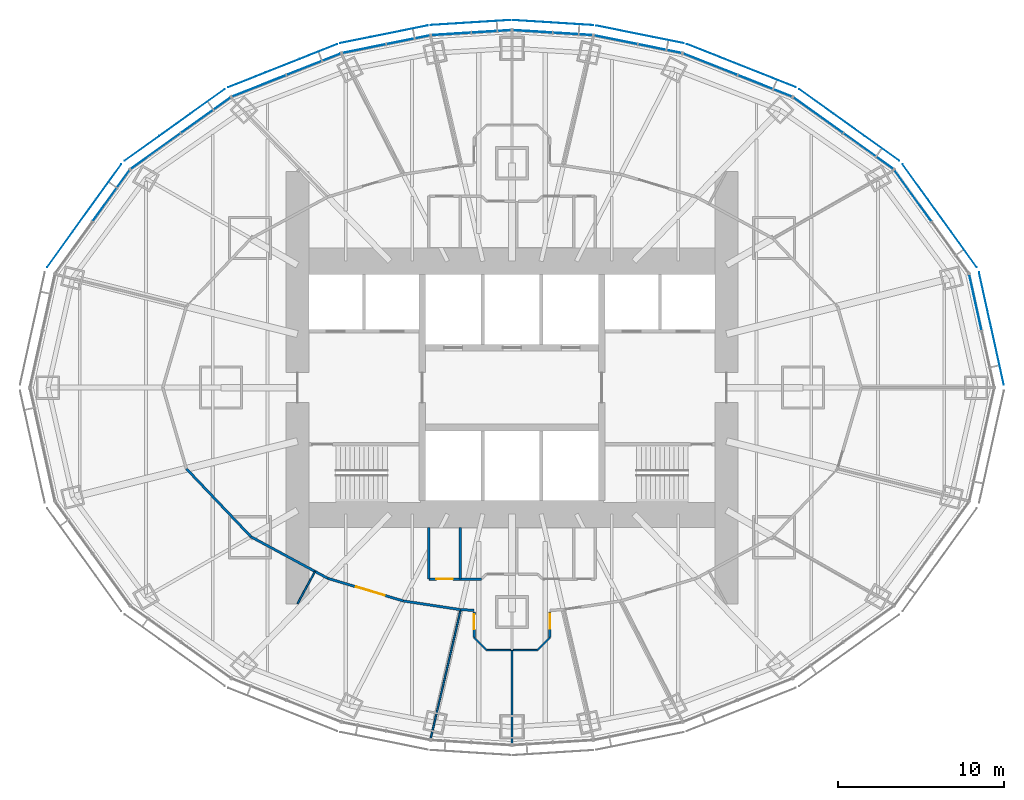
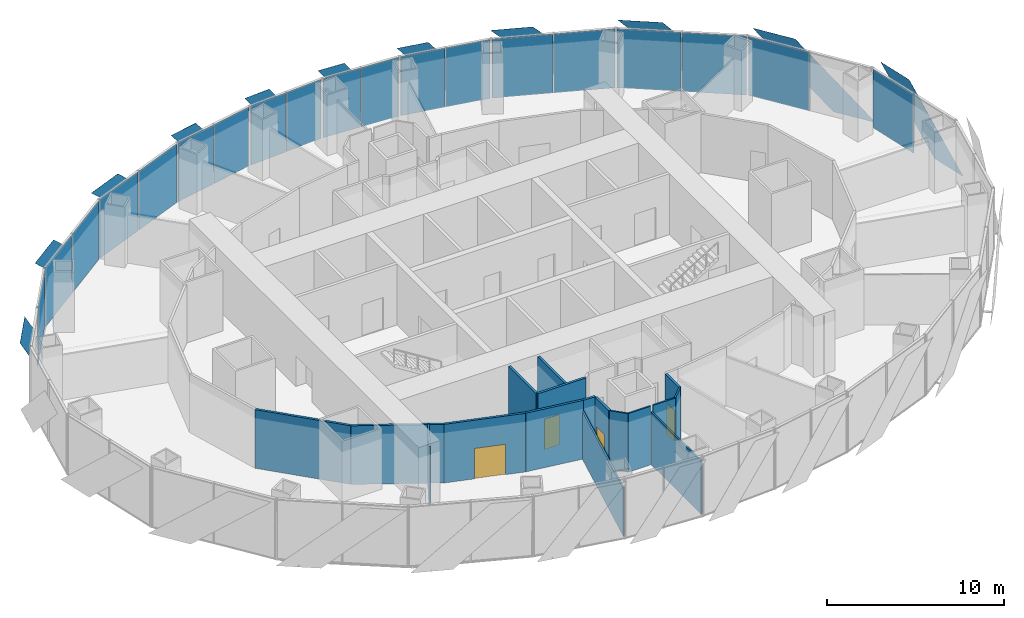
# One storey, part 10 of 18: 30 plates, 17 walls, 4 doors, 4 openings, 11 elements without a shape of their own.
"""IFC4 building model written with IfcOpenShell, lengths in metres."""

from ifc_helpers import new_model, si_unit, direction, frame, frame_2d, origin, origin_2d, place, context, subcontext, project, spatial, polyline, rectangle, outline, extrude, material, layer, layer_set, type_object, element, fill, aggregate, save


model = new_model("IFC4")

# Units and contexts
model_context = context("Model", 3, precision=1e-05, world=origin(), true_north=direction((0.0, 1.0)))
body_context = subcontext(model_context, "Body", "Model", "MODEL_VIEW")
ifc_project = project(units=[si_unit("LENGTHUNIT", "METRE"), si_unit("AREAUNIT", "SQUARE_METRE"), si_unit("VOLUMEUNIT", "CUBIC_METRE"), si_unit("PLANEANGLEUNIT", "RADIAN"), si_unit("MASSUNIT", "GRAM", prefix="KILO")], contexts=[model_context])

# Site, building, storey
site_placement = place(None, origin())
site = spatial("IfcSite", under=ifc_project, at=site_placement, CompositionType="ELEMENT")
building_placement = place(site_placement, origin())
building = spatial("IfcBuilding", under=site, at=building_placement, Name="Lantaw Convention Tower", CompositionType="ELEMENT")
storey_placement = place(building_placement, frame((0.0, 0.0, 138.39990234375)))
storey = spatial("IfcBuildingStorey", under=building, at=storey_placement, Name="L32", CompositionType="ELEMENT", Elevation=138.39990234375)

# Curtain wall, plate
ifc_material_1 = material(Name="Aluminium framed curtain wall", Category="aluminium")
curtain_wall_type = type_object("IfcCurtainWallType", Name="Office curtain wall low rise, pale aluminium", PredefinedType="USERDEFINED", material=ifc_material_1)
curtain_wall_1_placement = place(storey_placement, origin())
curtain_wall_1 = element("IfcCurtainWall", 1, at=curtain_wall_1_placement, inside=storey, type_object=curtain_wall_type, Name="Office curtain wall low rise, pale aluminium L32", ObjectType="UNITISED CURTAIN WALL", PredefinedType="USERDEFINED")
ifc_material_2 = material(Name="Clear insulating glass", Category="glass")
ifc_layer_1 = layer(ifc_material_2, 0.028076171875)
ifc_layer_set_1 = layer_set([ifc_layer_1], Name="CW-O1 panel 28")
plate_type_1 = type_object("IfcPlateType", Name="CW-O1 panel 28", PredefinedType="CURTAIN_PANEL", material=ifc_layer_set_1)
plate_1_placement = place(storey_placement, frame((27.868896484375, 5.1240234375, -0.0849609375), z_axis=(0.0, 0.0, 1.0), x_axis=(-0.215546166174, 0.9764936509, 0.0)))
plate_1 = element("IfcPlate", 2, at=plate_1_placement, type_object=plate_type_1, Name="CW-O1 panel 2.1", PredefinedType="CURTAIN_PANEL", context=body_context, shape_type="SweptSolid", body=[
    extrude(rectangle(XDim=3.41162109375, YDim=0.028076171875, at=origin_2d()), origin(), (0.0, 0.0, 1.0), 4.070068359375),
])
aggregate(curtain_wall_1, [plate_1])

curtain_wall_2_placement = place(storey_placement, origin())
curtain_wall_2 = element("IfcCurtainWall", 3, at=curtain_wall_2_placement, inside=storey, type_object=curtain_wall_type, Name="Office curtain wall low rise, pale aluminium L32", ObjectType="UNITISED CURTAIN WALL", PredefinedType="USERDEFINED")
plate_2_placement = place(storey_placement, frame((24.108154296875, 11.5439453125, -0.0849609375), z_axis=(0.0, 0.0, 1.0), x_axis=(-0.584512597221, 0.811384633629, 0.0)))
plate_2 = element("IfcPlate", 4, at=plate_2_placement, type_object=plate_type_1, Name="CW-O1 panel 2.1", PredefinedType="CURTAIN_PANEL", context=body_context, shape_type="SweptSolid", body=[
    extrude(rectangle(XDim=3.767333984375, YDim=0.028076171875, at=origin_2d()), origin(), (0.0, 0.0, 1.0), 4.070068359375),
])
aggregate(curtain_wall_2, [plate_2])

# Curtain wall, plates
curtain_wall_3_placement = place(storey_placement, origin())
curtain_wall_3 = element("IfcCurtainWall", 5, at=curtain_wall_3_placement, inside=storey, type_object=curtain_wall_type, Name="Office curtain wall low rise, pale aluminium L32", ObjectType="UNITISED CURTAIN WALL", PredefinedType="USERDEFINED")
plate_3_placement = place(storey_placement, frame((21.43408203125, 14.2236328125, -0.0849609375), z_axis=(0.0, 0.0, 1.0), x_axis=(-0.813208325995, 0.581972695693, 0.0)))
plate_3 = element("IfcPlate", 6, at=plate_3_placement, type_object=plate_type_1, Name="CW-O1 panel 1.1", PredefinedType="CURTAIN_PANEL", context=body_context, shape_type="SweptSolid", body=[
    extrude(rectangle(XDim=3.645263671875, YDim=0.028076171875, at=origin_2d()), origin(), (0.0, 0.0, 1.0), 4.070068359375),
])
plate_4_placement = place(storey_placement, frame((18.416748046875, 16.383056640625, -0.0849609375), z_axis=(0.0, 0.0, 1.0), x_axis=(-0.813208325995, 0.581972695693, 0.0)))
plate_4 = element("IfcPlate", 7, at=plate_4_placement, type_object=plate_type_1, Name="CW-O1 panel 2.1", PredefinedType="CURTAIN_PANEL", context=body_context, shape_type="SweptSolid", body=[
    extrude(rectangle(XDim=3.645263671875, YDim=0.028076171875, at=origin_2d()), origin(), (0.0, 0.0, 1.0), 4.070068359375),
])
aggregate(curtain_wall_3, [plate_3, plate_4])

curtain_wall_4_placement = place(storey_placement, origin())
curtain_wall_4 = element("IfcCurtainWall", 8, at=curtain_wall_4_placement, inside=storey, type_object=curtain_wall_type, Name="Office curtain wall low rise, pale aluminium L32", ObjectType="UNITISED CURTAIN WALL", PredefinedType="USERDEFINED")
plate_5_placement = place(storey_placement, frame((15.208251953125, 18.145263671875, -0.0849609375), z_axis=(0.0, 0.0, 1.0), x_axis=(-0.929547687544, 0.368701907483, 0.0)))
plate_5 = element("IfcPlate", 9, at=plate_5_placement, type_object=plate_type_1, Name="CW-O1 panel 1.1", PredefinedType="CURTAIN_PANEL", context=body_context, shape_type="SweptSolid", body=[
    extrude(rectangle(XDim=3.470703125, YDim=0.028076171875, at=origin_2d()), origin(), (0.0, 0.0, 1.0), 4.070068359375),
])
plate_6_placement = place(storey_placement, frame((11.921630859375, 19.448974609375, -0.0849609375), z_axis=(0.0, 0.0, 1.0), x_axis=(-0.929547687544, 0.368701907483, 0.0)))
plate_6 = element("IfcPlate", 10, at=plate_6_placement, type_object=plate_type_1, Name="CW-O1 panel 2.1", PredefinedType="CURTAIN_PANEL", context=body_context, shape_type="SweptSolid", body=[
    extrude(rectangle(XDim=3.470703125, YDim=0.028076171875, at=origin_2d()), origin(), (0.0, 0.0, 1.0), 4.070068359375),
])
aggregate(curtain_wall_4, [plate_5, plate_6])

curtain_wall_5_placement = place(storey_placement, origin())
curtain_wall_5 = element("IfcCurtainWall", 11, at=curtain_wall_5_placement, inside=storey, type_object=curtain_wall_type, Name="Office curtain wall low rise, pale aluminium L32", ObjectType="UNITISED CURTAIN WALL", PredefinedType="USERDEFINED")
plate_7_placement = place(storey_placement, frame((8.893310546875, 20.3857421875, -0.0849609375), z_axis=(0.0, 0.0, 1.0), x_axis=(-0.980301514912, 0.197506809659, 0.0)))
plate_7 = element("IfcPlate", 12, at=plate_7_placement, type_object=plate_type_1, Name="CW-O1 panel 1.1", PredefinedType="CURTAIN_PANEL", context=body_context, shape_type="SweptSolid", body=[
    extrude(rectangle(XDim=2.634033203125, YDim=0.028076171875, at=origin_2d()), origin(), (0.0, 0.0, 1.0), 4.070068359375),
])
plate_8_placement = place(storey_placement, frame((6.247314453125, 20.9189453125, -0.0849609375), z_axis=(0.0, 0.0, 1.0), x_axis=(-0.980301514912, 0.197506809659, 0.0)))
plate_8 = element("IfcPlate", 13, at=plate_8_placement, type_object=plate_type_1, Name="CW-O1 panel 2.1", PredefinedType="CURTAIN_PANEL", context=body_context, shape_type="SweptSolid", body=[
    extrude(rectangle(XDim=2.634033203125, YDim=0.028076171875, at=origin_2d()), origin(), (0.0, 0.0, 1.0), 4.070068359375),
])
aggregate(curtain_wall_5, [plate_7, plate_8])

curtain_wall_6_placement = place(storey_placement, origin())
curtain_wall_6 = element("IfcCurtainWall", 14, at=curtain_wall_6_placement, inside=storey, type_object=curtain_wall_type, Name="Office curtain wall low rise, pale aluminium L32", ObjectType="UNITISED CURTAIN WALL", PredefinedType="USERDEFINED")
plate_9_placement = place(storey_placement, frame((3.653076171875, 21.269775390625, -0.0849609375), z_axis=(0.0, 0.0, 1.0), x_axis=(-0.998022035978, 0.062865059466, 0.0)))
plate_9 = element("IfcPlate", 15, at=plate_9_placement, type_object=plate_type_1, Name="CW-O1 panel 1.1", PredefinedType="CURTAIN_PANEL", context=body_context, shape_type="SweptSolid", body=[
    extrude(rectangle(XDim=2.353515625, YDim=0.028076171875, at=origin_2d()), origin(), (0.0, 0.0, 1.0), 4.070068359375),
])
plate_10_placement = place(storey_placement, frame((1.2392578125, 21.421875, -0.0849609375), z_axis=(0.0, 0.0, 1.0), x_axis=(-0.998022035978, 0.062865059466, 0.0)))
plate_10 = element("IfcPlate", 16, at=plate_10_placement, type_object=plate_type_1, Name="CW-O1 panel 2.1", PredefinedType="CURTAIN_PANEL", context=body_context, shape_type="SweptSolid", body=[
    extrude(rectangle(XDim=2.353515625, YDim=0.028076171875, at=origin_2d()), origin(), (0.0, 0.0, 1.0), 4.070068359375),
])
aggregate(curtain_wall_6, [plate_9, plate_10])

curtain_wall_7_placement = place(storey_placement, origin())
curtain_wall_7 = element("IfcCurtainWall", 17, at=curtain_wall_7_placement, inside=storey, type_object=curtain_wall_type, Name="Office curtain wall low rise, pale aluminium L32", ObjectType="UNITISED CURTAIN WALL", PredefinedType="USERDEFINED")
plate_11_placement = place(storey_placement, frame((-1.2392578125, 21.421875, -0.0849609375), z_axis=(0.0, 0.0, 1.0), x_axis=(-0.998022035978, -0.062865059466, 0.0)))
plate_11 = element("IfcPlate", 18, at=plate_11_placement, type_object=plate_type_1, Name="CW-O1 panel 1.1", PredefinedType="CURTAIN_PANEL", context=body_context, shape_type="SweptSolid", body=[
    extrude(rectangle(XDim=2.353515625, YDim=0.028076171875, at=origin_2d()), origin(), (0.0, 0.0, 1.0), 4.070068359375),
])
plate_12_placement = place(storey_placement, frame((-3.653076171875, 21.269775390625, -0.0849609375), z_axis=(0.0, 0.0, 1.0), x_axis=(-0.998022035978, -0.062865059466, 0.0)))
plate_12 = element("IfcPlate", 19, at=plate_12_placement, type_object=plate_type_1, Name="CW-O1 panel 2.1", PredefinedType="CURTAIN_PANEL", context=body_context, shape_type="SweptSolid", body=[
    extrude(rectangle(XDim=2.353515625, YDim=0.028076171875, at=origin_2d()), origin(), (0.0, 0.0, 1.0), 4.070068359375),
])
aggregate(curtain_wall_7, [plate_11, plate_12])

curtain_wall_8_placement = place(storey_placement, origin())
curtain_wall_8 = element("IfcCurtainWall", 20, at=curtain_wall_8_placement, inside=storey, type_object=curtain_wall_type, Name="Office curtain wall low rise, pale aluminium L32", ObjectType="UNITISED CURTAIN WALL", PredefinedType="USERDEFINED")
plate_13_placement = place(storey_placement, frame((-6.247314453125, 20.9189453125, -0.0849609375), z_axis=(0.0, 0.0, 1.0), x_axis=(-0.980301514912, -0.197506809659, 0.0)))
plate_13 = element("IfcPlate", 21, at=plate_13_placement, type_object=plate_type_1, Name="CW-O1 panel 1.1", PredefinedType="CURTAIN_PANEL", context=body_context, shape_type="SweptSolid", body=[
    extrude(rectangle(XDim=2.634033203125, YDim=0.028076171875, at=origin_2d()), origin(), (0.0, 0.0, 1.0), 4.070068359375),
])
plate_14_placement = place(storey_placement, frame((-8.893310546875, 20.3857421875, -0.0849609375), z_axis=(0.0, 0.0, 1.0), x_axis=(-0.980301514912, -0.197506809659, 0.0)))
plate_14 = element("IfcPlate", 22, at=plate_14_placement, type_object=plate_type_1, Name="CW-O1 panel 2.1", PredefinedType="CURTAIN_PANEL", context=body_context, shape_type="SweptSolid", body=[
    extrude(rectangle(XDim=2.634033203125, YDim=0.028076171875, at=origin_2d()), origin(), (0.0, 0.0, 1.0), 4.070068359375),
])
aggregate(curtain_wall_8, [plate_13, plate_14])

curtain_wall_9_placement = place(storey_placement, origin())
curtain_wall_9 = element("IfcCurtainWall", 23, at=curtain_wall_9_placement, inside=storey, type_object=curtain_wall_type, Name="Office curtain wall low rise, pale aluminium L32", ObjectType="UNITISED CURTAIN WALL", PredefinedType="USERDEFINED")
plate_15_placement = place(storey_placement, frame((-11.921630859375, 19.448974609375, -0.0849609375), z_axis=(0.0, 0.0, 1.0), x_axis=(-0.929547687544, -0.368701907483, 0.0)))
plate_15 = element("IfcPlate", 24, at=plate_15_placement, type_object=plate_type_1, Name="CW-O1 panel 1.1", PredefinedType="CURTAIN_PANEL", context=body_context, shape_type="SweptSolid", body=[
    extrude(rectangle(XDim=3.470703125, YDim=0.028076171875, at=origin_2d()), origin(), (0.0, 0.0, 1.0), 4.070068359375),
])
plate_16_placement = place(storey_placement, frame((-15.208251953125, 18.145263671875, -0.0849609375), z_axis=(0.0, 0.0, 1.0), x_axis=(-0.929547687544, -0.368701907483, 0.0)))
plate_16 = element("IfcPlate", 25, at=plate_16_placement, type_object=plate_type_1, Name="CW-O1 panel 2.1", PredefinedType="CURTAIN_PANEL", context=body_context, shape_type="SweptSolid", body=[
    extrude(rectangle(XDim=3.470703125, YDim=0.028076171875, at=origin_2d()), origin(), (0.0, 0.0, 1.0), 4.070068359375),
])
aggregate(curtain_wall_9, [plate_15, plate_16])

curtain_wall_10_placement = place(storey_placement, origin())
curtain_wall_10 = element("IfcCurtainWall", 26, at=curtain_wall_10_placement, inside=storey, type_object=curtain_wall_type, Name="Office curtain wall low rise, pale aluminium L32", ObjectType="UNITISED CURTAIN WALL", PredefinedType="USERDEFINED")
plate_17_placement = place(storey_placement, frame((-18.416748046875, 16.383056640625, -0.0849609375), z_axis=(0.0, 0.0, 1.0), x_axis=(-0.813208325995, -0.581972695693, 0.0)))
plate_17 = element("IfcPlate", 27, at=plate_17_placement, type_object=plate_type_1, Name="CW-O1 panel 1.1", PredefinedType="CURTAIN_PANEL", context=body_context, shape_type="SweptSolid", body=[
    extrude(rectangle(XDim=3.645263671875, YDim=0.028076171875, at=origin_2d()), origin(), (0.0, 0.0, 1.0), 4.070068359375),
])
plate_18_placement = place(storey_placement, frame((-21.43408203125, 14.2236328125, -0.0849609375), z_axis=(0.0, 0.0, 1.0), x_axis=(-0.813208325995, -0.581972695693, 0.0)))
plate_18 = element("IfcPlate", 28, at=plate_18_placement, type_object=plate_type_1, Name="CW-O1 panel 2.1", PredefinedType="CURTAIN_PANEL", context=body_context, shape_type="SweptSolid", body=[
    extrude(rectangle(XDim=3.645263671875, YDim=0.028076171875, at=origin_2d()), origin(), (0.0, 0.0, 1.0), 4.070068359375),
])
aggregate(curtain_wall_10, [plate_17, plate_18])

# Curtain wall, plate
curtain_wall_11_placement = place(storey_placement, origin())
curtain_wall_11 = element("IfcCurtainWall", 29, at=curtain_wall_11_placement, inside=storey, type_object=curtain_wall_type, Name="Office curtain wall low rise, pale aluminium L32", ObjectType="UNITISED CURTAIN WALL", PredefinedType="USERDEFINED")
plate_19_placement = place(storey_placement, frame((-24.108154296875, 11.5439453125, -0.0849609375), z_axis=(0.0, 0.0, 1.0), x_axis=(-0.584512597221, -0.811384633629, 0.0)))
plate_19 = element("IfcPlate", 30, at=plate_19_placement, type_object=plate_type_1, Name="CW-O1 panel 1.1", PredefinedType="CURTAIN_PANEL", context=body_context, shape_type="SweptSolid", body=[
    extrude(rectangle(XDim=3.767333984375, YDim=0.028076171875, at=origin_2d()), origin(), (0.0, 0.0, 1.0), 4.070068359375),
])
aggregate(curtain_wall_11, [plate_19])

# Plates
ifc_material_3 = material(Name="Perforated aluminium sheet, pale silver finish", Category="aluminium")
ifc_layer_2 = layer(ifc_material_3, 0.006103515625)
ifc_layer_set_2 = layer_set([ifc_layer_2], Name="Perforated aluminium solar SCREEN panel")
plate_type_2 = type_object("IfcPlateType", Name="Perforated aluminium solar SCREEN panel", PredefinedType="SHEET", material=ifc_layer_set_2)
plate_20_placement = place(storey_placement, frame((29.5810546875, 0.179443359375, -0.1748046875), z_axis=(0.976497812463, 0.215527309509, 3.3329045e-05), x_axis=(-0.215527309629, 0.976497813005, 1.665e-09)))
element("IfcPlate", 31, at=plate_20_placement, inside=storey, type_object=plate_type_2, Name="Solar SCREEN panel", PredefinedType="SHEET", context=body_context, shape_type="SweptSolid", body=[
    extrude(outline(polyline([(0.0, 0.0), (2.3861843673609986, 0.0), (6.918240190546627, 4.339843740891906), (4.532108442157707, 4.339843748837556), (0.0, 0.0)])), origin(), (0.0, 0.0, -1.0), 0.006103515625),
])
plate_21_placement = place(storey_placement, frame((27.94970703125, 7.248046875, -0.1748046875), z_axis=(0.81139512159, 0.584498037099, 3.5888803e-05), x_axis=(-0.584498037475, 0.811395122112, -9.74e-10)))
element("IfcPlate", 32, at=plate_21_placement, inside=storey, type_object=plate_type_2, Name="Solar SCREEN panel", PredefinedType="SHEET", context=body_context, shape_type="SweptSolid", body=[
    extrude(outline(polyline([(0.0, 0.0), (2.628222178575422, -6.776263578034403e-21), (7.629778257969264, 4.339843760228519), (5.001754173906077, 4.339843755107391), (0.0, 0.0)])), origin(), (0.0, 0.0, -1.0), 0.006103515625),
])
plate_22_placement = place(storey_placement, frame((23.281005859375, 13.64697265625, -0.1748046875), z_axis=(0.582000183937, 0.813188653244, 1.1537794e-05), x_axis=(-0.813188653298, 0.582000183975, 0.0)))
element("IfcPlate", 33, at=plate_22_placement, inside=storey, type_object=plate_type_2, Name="Solar SCREEN panel", PredefinedType="SHEET", context=body_context, shape_type="SweptSolid", body=[
    extrude(outline(polyline([(0.0, 0.0), (2.5450183911586484, 1.6940658945086007e-21), (7.385531276904658, 4.339843750288861), (4.840512885746009, 4.339843750288861), (0.0, 0.0)])), origin(), (0.0, 0.0, -1.0), 0.006103515625),
])
plate_23_placement = place(storey_placement, frame((17.05859375, 18.063232421875, -0.1748046875), z_axis=(-0.368708915367, -0.929544907797, 1.0867661e-05), x_axis=(-0.929544907851, 0.368708915389, 7.1e-10)))
element("IfcPlate", 34, at=plate_23_placement, inside=storey, type_object=plate_type_2, Name="Solar SCREEN panel", PredefinedType="SHEET", context=body_context, shape_type="SweptSolid", body=[
    extrude(outline(polyline([(0.0, 0.0), (2.4263803793049097, 0.0), (7.036549629566982, -4.339843745261612), (4.61003232741235, -4.339843748706285), (0.0, 0.0)])), origin(), (0.0, 0.0, -1.0), 0.006103515625),
])
plate_24_placement = place(storey_placement, frame((10.318603515625, 20.716796875, -0.1748046875), z_axis=(0.197556725442, 0.980291455983, 3.9485719e-05), x_axis=(-0.980291456747, 0.197556725596, 0.0)))
element("IfcPlate", 35, at=plate_24_placement, inside=storey, type_object=plate_type_2, Name="Solar SCREEN panel", PredefinedType="SHEET", context=body_context, shape_type="SweptSolid", body=[
    extrude(outline(polyline([(0.0, 0.0), (1.8574075788555457, 1.6940658945086007e-21), (5.362987026845185, 4.339843753383173), (3.505579447989639, 4.339843753383173), (0.0, 0.0)])), origin(), (0.0, 0.0, -1.0), 0.006103515625),
])
plate_25_placement = place(storey_placement, frame((4.880615234375, 21.7998046875, -0.1748046875), z_axis=(0.062838799866, 0.998023689713, 1.755158e-06), x_axis=(-0.998023689715, 0.062838799866, -8e-12)))
element("IfcPlate", 36, at=plate_25_placement, inside=storey, type_object=plate_type_2, Name="Solar SCREEN panel", PredefinedType="SHEET", context=body_context, shape_type="SweptSolid", body=[
    extrude(outline(polyline([(0.0, 0.0), (1.6666243269452135, 2.6469779601696886e-23), (4.802214797186689, 4.339843750045478), (3.135346812114104, 4.33984375001855), (0.0, 0.0)])), origin(), (0.0, 0.0, -1.0), 0.006103515625),
])
plate_26_placement = place(storey_placement, frame((-0.087890625, 22.1015625, -0.1748046875), z_axis=(0.062838799866, -0.998023689713, 1.755158e-06), x_axis=(-0.998023689715, -0.062838799866, 8e-12)))
element("IfcPlate", 37, at=plate_26_placement, inside=storey, type_object=plate_type_2, Name="Solar SCREEN panel", PredefinedType="SHEET", context=body_context, shape_type="SweptSolid", body=[
    extrude(outline(polyline([(0.0, 0.0), (1.6668679850725854, -5.293955920339377e-23), (4.802214797256801, -4.339843749967897), (3.1355904703115876, -4.339843749994822), (0.0, 0.0)])), origin(), (0.0, 0.0, -1.0), 0.006103515625),
])
plate_27_placement = place(storey_placement, frame((-5.061279296875, 21.776123046875, -0.1748046875), z_axis=(0.197556725442, -0.980291455983, 3.9485719e-05), x_axis=(-0.980291456747, -0.197556725596, 0.0)))
element("IfcPlate", 38, at=plate_27_placement, inside=storey, type_object=plate_type_2, Name="Solar SCREEN panel", PredefinedType="SHEET", context=body_context, shape_type="SweptSolid", body=[
    extrude(outline(polyline([(0.0, 0.0), (1.8574075788555457, -1.6940658945086007e-21), (5.362987026845185, -4.339843753383173), (3.505579447989639, -4.339843753383173), (0.0, 0.0)])), origin(), (0.0, 0.0, -1.0), 0.006103515625),
])
plate_28_placement = place(storey_placement, frame((-10.517822265625, 20.65771484375, -0.1748046875), z_axis=(-0.368708915367, 0.929544907797, 1.0867661e-05), x_axis=(-0.929544907851, -0.368708915389, -7.1e-10)))
element("IfcPlate", 39, at=plate_28_placement, inside=storey, type_object=plate_type_2, Name="Solar SCREEN panel", PredefinedType="SHEET", context=body_context, shape_type="SweptSolid", body=[
    extrude(outline(polyline([(0.0, 0.0), (2.426517302154632, 1.6940658945086007e-21), (7.036549623406159, 4.339843755250667), (4.610169244101249, 4.339843751806188), (0.0, 0.0)])), origin(), (0.0, 0.0, -1.0), 0.006103515625),
])
plate_29_placement = place(storey_placement, frame((-17.275146484375, 17.9453125, -0.1748046875), z_axis=(0.582000183937, -0.813188653244, 1.1537794e-05), x_axis=(-0.813188653298, -0.582000183975, 0.0)))
element("IfcPlate", 40, at=plate_29_placement, inside=storey, type_object=plate_type_2, Name="Solar SCREEN panel", PredefinedType="SHEET", context=body_context, shape_type="SweptSolid", body=[
    extrude(outline(polyline([(0.0, 0.0), (2.5450183911586484, -1.6940658945086007e-21), (7.385531276904658, -4.339843750288861), (4.840512885746009, -4.339843750288861), (0.0, 0.0)])), origin(), (0.0, 0.0, -1.0), 0.006103515625),
])
plate_30_placement = place(storey_placement, frame((-23.489990234375, 13.438720703125, -0.1748046875), z_axis=(0.81139512159, -0.584498037099, 3.5888803e-05), x_axis=(-0.584498037475, -0.811395122112, 9.74e-10)))
element("IfcPlate", 41, at=plate_30_placement, inside=storey, type_object=plate_type_2, Name="Solar SCREEN panel", PredefinedType="SHEET", context=body_context, shape_type="SweptSolid", body=[
    extrude(outline(polyline([(0.0, 0.0), (2.6280240840631874, 6.776263578034403e-21), (7.62977826642615, -4.339843745360666), (5.001556087850728, -4.3398437504821805), (0.0, 0.0)])), origin(), (0.0, 0.0, -1.0), 0.006103515625),
])

# Walls
ifc_material_4 = material(Name="Gypsum board on steel studs, fire rated", Category="steel")
ifc_layer_3 = layer(ifc_material_4, 0.14990234375)
ifc_layer_set_3 = layer_set([ifc_layer_3], Name="Corridor wall 150 EI 60")
wall_type_1 = type_object("IfcWallType", Name="Corridor wall 150 EI 60", PredefinedType="PARTITIONING", material=ifc_layer_set_3)
wall_1_placement = place(storey_placement, frame((-19.5791015625, -4.881591796875, 0.0), z_axis=(0.0, 0.0, 1.0), x_axis=(0.688797257101, -0.72495402517, 0.0)))
element("IfcWall", 42, at=wall_1_placement, inside=storey, type_object=wall_type_1, Name="Corridor wall 150", PredefinedType="PARTITIONING", context=body_context, shape_type="SweptSolid", body=[
    extrude(rectangle(XDim=5.63818359375, YDim=0.14990234375, at=frame_2d((2.819091796875, 0.0))), origin(), (0.0, 0.0, 1.0), 4.050048828125),
])
wall_2_placement = place(storey_placement, frame((-15.695556640625, -8.968994140625, 0.0), z_axis=(0.0, 0.0, 1.0), x_axis=(0.879436285334, -0.476016617397, 0.0)))
element("IfcWall", 43, at=wall_2_placement, inside=storey, type_object=wall_type_1, Name="Corridor wall 150", PredefinedType="PARTITIONING", context=body_context, shape_type="SweptSolid", body=[
    extrude(rectangle(XDim=5.2529296875, YDim=0.14990234375, at=frame_2d((2.62646484375, 0.0))), origin(), (0.0, 0.0, 1.0), 4.050048828125),
])

# Wall, opening, door
wall_3_placement = place(storey_placement, frame((-11.075927734375, -11.469482421875, 0.0), z_axis=(0.0, 0.0, 1.0), x_axis=(0.957933992798, -0.286988615527, 0.0)))
wall_3 = element("IfcWall", 44, at=wall_3_placement, inside=storey, type_object=wall_type_1, Name="Corridor wall 150", PredefinedType="PARTITIONING", context=body_context, shape_type="SweptSolid", body=[
    extrude(rectangle(XDim=4.73828125, YDim=0.14990234375, at=frame_2d((2.369140625, 0.0))), origin(), (0.0, 0.0, 1.0), 4.050048828125),
])
opening_1_placement = place(wall_3_placement, frame((1.773681640625, 0.0, 0.0)))
opening_1 = element("IfcOpeningElement", 45, at=opening_1_placement, cuts=wall_3, Name="Opening L32.29", PredefinedType="OPENING", context=body_context, shape_type="SweptSolid", body=[
    extrude(rectangle(XDim=1.800048828125, YDim=2.10009765625, at=frame_2d((0.89990234375, 1.050048828125))), frame((0.0, 0.0849609375, 0.0), z_axis=(0.0, -1.0, 0.0), x_axis=(1.0, 0.0, 0.0)), (0.0, 0.0, 1.0), 0.169921875),
])
ifc_material_5 = material(Name="Steel, fire rated", Category="steel")
door_type_1 = type_object("IfcDoorType", Name="Office double door 1800 FD30", OperationType="DOUBLE_DOOR_DOUBLE_SWING", PredefinedType="DOOR", material=ifc_material_5)
door_1_placement = place(opening_1_placement, origin())
door_1 = element("IfcDoor", 46, at=door_1_placement, inside=storey, type_object=door_type_1, Name="Open office door", OperationType="DOUBLE_DOOR_DOUBLE_SWING", OverallHeight=2.10009765625, OverallWidth=1.800048828125, PredefinedType="DOOR", context=body_context, shape_type="SweptSolid", body=[
    extrude(rectangle(XDim=1.800048828125, YDim=2.10009765625, at=frame_2d((0.89990234375, 1.050048828125))), frame((0.0, 0.02490234375, 0.0), z_axis=(0.0, -1.0, 0.0), x_axis=(1.0, 0.0, 0.0)), (0.0, 0.0, 1.0), 0.050048828125),
])
fill(opening_1, door_1)

# Walls
wall_4_placement = place(storey_placement, frame((-6.536865234375, -12.829345703125, 0.0), z_axis=(0.0, 0.0, 1.0), x_axis=(0.988668719464, -0.150113833987, 0.0)))
element("IfcWall", 47, at=wall_4_placement, inside=storey, type_object=wall_type_1, Name="Corridor wall 150", PredefinedType="PARTITIONING", context=body_context, shape_type="SweptSolid", body=[
    extrude(rectangle(XDim=3.493408203125, YDim=0.14990234375, at=frame_2d((1.74658203125, 0.0))), origin(), (0.0, 0.0, 1.0), 4.050048828125),
])
wall_5_placement = place(storey_placement, frame((-3.0830078125, -13.353759765625, 0.0), z_axis=(0.0, 0.0, 1.0), x_axis=(0.998878614804, -0.04734461836, 0.0)))
element("IfcWall", 48, at=wall_5_placement, inside=storey, type_object=wall_type_1, Name="Corridor wall 150", PredefinedType="PARTITIONING", context=body_context, shape_type="SweptSolid", body=[
    extrude(rectangle(XDim=0.7890625, YDim=0.14990234375, at=frame_2d((0.39453125, 0.0))), origin(), (0.0, 0.0, 1.0), 4.050048828125),
])

# Wall, opening, door
wall_6_placement = place(storey_placement, frame((-2.284912109375, -15.0322265625, 0.0), z_axis=(0.0, 0.0, 1.0), x_axis=(0.0, 1.0, 0.0)))
wall_6 = element("IfcWall", 49, at=wall_6_placement, inside=storey, type_object=wall_type_1, Name="Corridor wall 150", PredefinedType="PARTITIONING", context=body_context, shape_type="SweptSolid", body=[
    extrude(rectangle(XDim=1.53955078125, YDim=0.14990234375, at=frame_2d((0.769775390625, 0.0))), origin(), (0.0, 0.0, 1.0), 4.050048828125),
])
opening_2_placement = place(wall_6_placement, frame((0.5, 0.0, 0.0)))
opening_2 = element("IfcOpeningElement", 50, at=opening_2_placement, cuts=wall_6, Name="Opening L32.30", PredefinedType="OPENING", context=body_context, shape_type="SweptSolid", body=[
    extrude(rectangle(XDim=0.89990234375, YDim=2.10009765625, at=frame_2d((0.449951171875, 1.050048828125))), frame((0.0, 0.0849609375, 0.0), z_axis=(0.0, -1.0, 0.0), x_axis=(1.0, 0.0, 0.0)), (0.0, 0.0, 1.0), 0.169921875),
])
door_type_2 = type_object("IfcDoorType", Name="Office door 900 FD30", OperationType="SINGLE_SWING_LEFT", PredefinedType="DOOR", material=ifc_material_5)
door_2_placement = place(opening_2_placement, origin())
door_2 = element("IfcDoor", 51, at=door_2_placement, inside=storey, type_object=door_type_2, Name="Meeting room door", OperationType="SINGLE_SWING_LEFT", OverallHeight=2.10009765625, OverallWidth=0.89990234375, PredefinedType="DOOR", context=body_context, shape_type="SweptSolid", body=[
    extrude(rectangle(XDim=0.89990234375, YDim=2.10009765625, at=frame_2d((0.449951171875, 1.050048828125))), frame((0.0, 0.02490234375, 0.0), z_axis=(0.0, -1.0, 0.0), x_axis=(1.0, 0.0, 0.0)), (0.0, 0.0, 1.0), 0.050048828125),
])
fill(opening_2, door_2)

wall_7_placement = place(storey_placement, frame((2.284912109375, -13.49267578125, 0.0), z_axis=(0.0, 0.0, 1.0), x_axis=(0.0, -1.0, 0.0)))
wall_7 = element("IfcWall", 52, at=wall_7_placement, inside=storey, type_object=wall_type_1, Name="Corridor wall 150", PredefinedType="PARTITIONING", context=body_context, shape_type="SweptSolid", body=[
    extrude(rectangle(XDim=1.53955078125, YDim=0.14990234375, at=frame_2d((0.769775390625, 0.0))), origin(), (0.0, 0.0, 1.0), 4.050048828125),
])
opening_3_placement = place(wall_7_placement, frame((0.10009765625, 0.0, 0.0)))
opening_3 = element("IfcOpeningElement", 53, at=opening_3_placement, cuts=wall_7, Name="Opening L32.31", PredefinedType="OPENING", context=body_context, shape_type="SweptSolid", body=[
    extrude(rectangle(XDim=0.89990234375, YDim=2.10009765625, at=frame_2d((0.449951171875, 1.050048828125))), frame((0.0, 0.0849609375, 0.0), z_axis=(0.0, -1.0, 0.0), x_axis=(1.0, 0.0, 0.0)), (0.0, 0.0, 1.0), 0.169921875),
])
door_3_placement = place(opening_3_placement, origin())
door_3 = element("IfcDoor", 54, at=door_3_placement, inside=storey, type_object=door_type_2, Name="Meeting room door", OperationType="SINGLE_SWING_LEFT", OverallHeight=2.10009765625, OverallWidth=0.89990234375, PredefinedType="DOOR", context=body_context, shape_type="SweptSolid", body=[
    extrude(rectangle(XDim=0.89990234375, YDim=2.10009765625, at=frame_2d((0.449951171875, 1.050048828125))), frame((0.0, 0.02490234375, 0.0), z_axis=(0.0, -1.0, 0.0), x_axis=(1.0, 0.0, 0.0)), (0.0, 0.0, 1.0), 0.050048828125),
])
fill(opening_3, door_3)

# Walls
ifc_material_6 = material(Name="Gypsum board on steel studs, acoustic", Category="steel")
ifc_layer_4 = layer(ifc_material_6, 0.10009765625)
ifc_layer_set_4 = layer_set([ifc_layer_4], Name="Office partition 100")
wall_type_2 = type_object("IfcWallType", Name="Office partition 100", PredefinedType="PARTITIONING", material=ifc_layer_set_4)
wall_8_placement = place(storey_placement, frame((-4.89697265625, -21.134765625, 0.0), z_axis=(0.0, 0.0, 1.0), x_axis=(0.227039313577, 0.973885593943, 0.0)))
element("IfcWall", 55, at=wall_8_placement, inside=storey, type_object=wall_type_2, Name="Office partition 100", PredefinedType="PARTITIONING", context=body_context, shape_type="SweptSolid", body=[
    extrude(rectangle(XDim=7.98974609375, YDim=0.10009765625, at=frame_2d((3.994873046875, 0.0))), origin(), (0.0, 0.0, 1.0), 3.293212890625),
])
wall_9_placement = place(storey_placement, frame((-12.89990234375, -13.0, 0.0), z_axis=(0.0, 0.0, 1.0), x_axis=(0.475998959765, 0.879445842734, 0.0)))
element("IfcWall", 56, at=wall_9_placement, inside=storey, type_object=wall_type_2, Name="Office partition 100", PredefinedType="PARTITIONING", context=body_context, shape_type="SweptSolid", body=[
    extrude(rectangle(XDim=2.214111328125, YDim=0.10009765625, at=frame_2d((1.10693359375, 0.0))), origin(), (0.0, 0.0, 1.0), 4.050048828125),
])
wall_10_placement = place(storey_placement, frame((0.0, -21.44482421875, 0.0), z_axis=(0.0, 0.0, 1.0), x_axis=(0.0, 1.0, 0.0)))
element("IfcWall", 57, at=wall_10_placement, inside=storey, type_object=wall_type_2, Name="Office partition 100", PredefinedType="PARTITIONING", context=body_context, shape_type="SweptSolid", body=[
    extrude(rectangle(XDim=5.64990234375, YDim=0.10009765625, at=frame_2d((2.824951171875, 0.0))), origin(), (0.0, 0.0, 1.0), 3.646240234375),
])
wall_11_placement = place(storey_placement, frame((-0.078125, -15.784912109375, 0.0), z_axis=(0.0, 0.0, 1.0), x_axis=(-1.0, 0.0, 0.0)))
element("IfcWall", 58, at=wall_11_placement, inside=storey, type_object=wall_type_2, Name="Office partition 100", PredefinedType="PARTITIONING", context=body_context, shape_type="SweptSolid", body=[
    extrude(rectangle(XDim=1.4541015625, YDim=0.10009765625, at=frame_2d((0.72705078125, 0.0))), origin(), (0.0, 0.0, 1.0), 4.050048828125),
])
for number, where, z_axis, x_axis, name in (
    (59, (-1.5322265625, -15.784912109375, 0.0), (0.0, 0.0, 1.0), (-0.707106781187, 0.707106781187, 0.0), "Office partition 100"),
    (60, (2.284912109375, -15.0322265625, 0.0), (0.0, 0.0, 1.0), (-0.707106781187, -0.707106781187, 0.0), "Office partition 100"),
):
    element("IfcWall", number, at=place(storey_placement, frame(where, z_axis=z_axis, x_axis=x_axis)), inside=storey, type_object=wall_type_2, Name=name, PredefinedType="PARTITIONING", context=body_context, shape_type="SweptSolid", body=[
        extrude(rectangle(XDim=1.064453125, YDim=0.10009765625, at=frame_2d((0.5322265625, 0.0))), origin(), (0.0, 0.0, 1.0), 4.050048828125),
    ])
wall_12_placement = place(storey_placement, frame((1.5322265625, -15.784912109375, 0.0), z_axis=(0.0, 0.0, 1.0), x_axis=(-1.0, 0.0, 0.0)))
element("IfcWall", 61, at=wall_12_placement, inside=storey, type_object=wall_type_2, Name="Office partition 100", PredefinedType="PARTITIONING", context=body_context, shape_type="SweptSolid", body=[
    extrude(rectangle(XDim=1.4541015625, YDim=0.10009765625, at=frame_2d((0.72705078125, 0.0))), origin(), (0.0, 0.0, 1.0), 4.050048828125),
])
ifc_material_7 = material(Name="Concrete blockwork", Category="masonry")
ifc_layer_5 = layer(ifc_material_7, 0.14990234375)
ifc_layer_set_5 = layer_set([ifc_layer_5], Name="WC wall 150")
wall_type_3 = type_object("IfcWallType", Name="WC wall 150", PredefinedType="SOLIDWALL", material=ifc_layer_set_5)
for number, where, z_axis, x_axis, name in (
    (62, (-5.0, -8.39990234375, 0.0), (0.0, 0.0, 1.0), (0.0, -1.0, 0.0), "WC wall 150"),
    (63, (-3.10009765625, -8.39990234375, 0.0), (0.0, 0.0, 1.0), (0.0, -1.0, 0.0), "WC wall 150"),
):
    element("IfcWall", number, at=place(storey_placement, frame(where, z_axis=z_axis, x_axis=x_axis)), inside=storey, type_object=wall_type_3, Name=name, PredefinedType="SOLIDWALL", context=body_context, shape_type="SweptSolid", body=[
        extrude(rectangle(XDim=3.112060546875, YDim=0.14990234375, at=frame_2d((1.55615234375, 0.0))), origin(), (0.0, 0.0, 1.0), 4.050048828125),
    ])

# Wall, opening, door
wall_13_placement = place(storey_placement, frame((-5.0, -11.511962890625, 0.0), z_axis=(0.0, 0.0, 1.0), x_axis=(1.0, 0.0, 0.0)))
wall_13 = element("IfcWall", 64, at=wall_13_placement, inside=storey, type_object=wall_type_3, Name="WC wall 150", PredefinedType="SOLIDWALL", context=body_context, shape_type="SweptSolid", body=[
    extrude(rectangle(XDim=3.156494140625, YDim=0.14990234375, at=frame_2d((1.578125, 0.0))), origin(), (0.0, 0.0, 1.0), 4.050048828125),
])
opening_4_placement = place(wall_13_placement, frame((0.449951171875, 0.0, 0.0)))
opening_4 = element("IfcOpeningElement", 65, at=opening_4_placement, cuts=wall_13, Name="Opening L32.18", PredefinedType="OPENING", context=body_context, shape_type="SweptSolid", body=[
    extrude(rectangle(XDim=1.0, YDim=2.10009765625, at=frame_2d((0.5, 1.050048828125))), frame((0.0, 0.0849609375, 0.0), z_axis=(0.0, -1.0, 0.0), x_axis=(1.0, 0.0, 0.0)), (0.0, 0.0, 1.0), 0.169921875),
])
ifc_material_8 = material(Name="Timber", Category="wood")
door_type_3 = type_object("IfcDoorType", Name="Accessible WC door 1000", OperationType="SINGLE_SWING_LEFT", PredefinedType="DOOR", material=ifc_material_8)
door_4_placement = place(opening_4_placement, origin())
door_4 = element("IfcDoor", 66, at=door_4_placement, inside=storey, type_object=door_type_3, Name="Accessible WC door", OperationType="SINGLE_SWING_LEFT", OverallHeight=2.10009765625, OverallWidth=1.0, PredefinedType="DOOR", context=body_context, shape_type="SweptSolid", body=[
    extrude(rectangle(XDim=1.0, YDim=2.10009765625, at=frame_2d((0.5, 1.050048828125))), frame((0.0, 0.02490234375, 0.0), z_axis=(0.0, -1.0, 0.0), x_axis=(1.0, 0.0, 0.0)), (0.0, 0.0, 1.0), 0.050048828125),
])
fill(opening_4, door_4)

save(model, "model.ifc")
